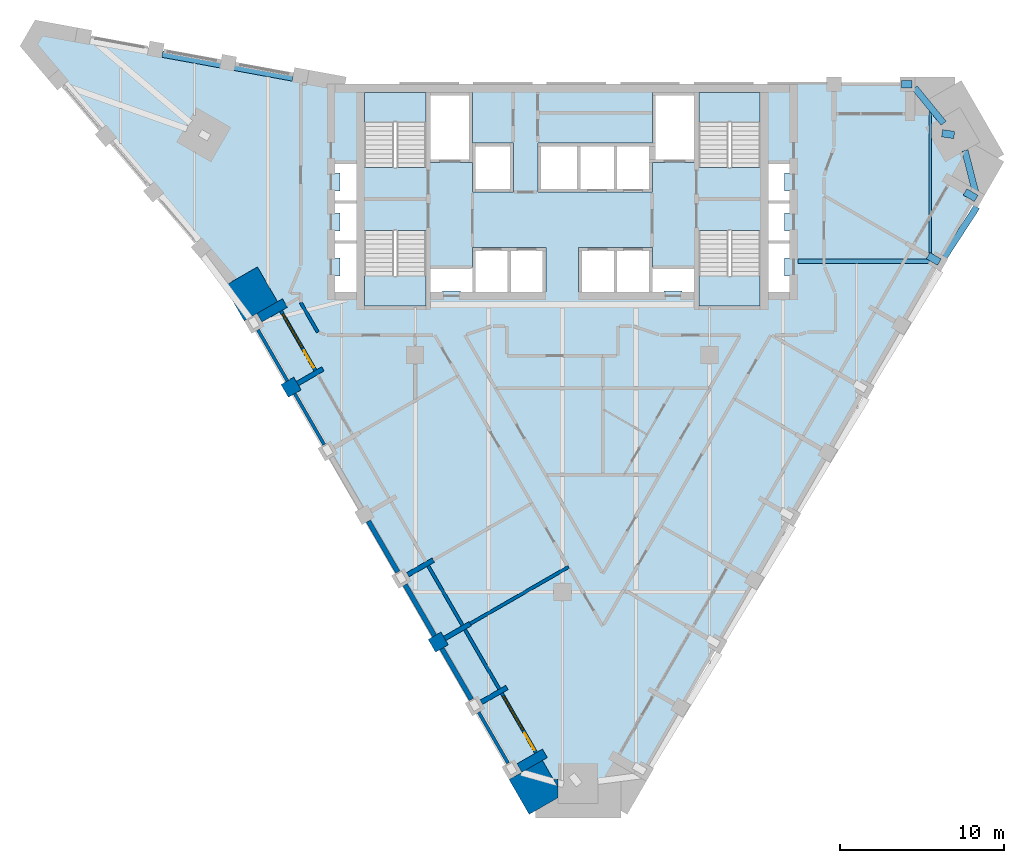
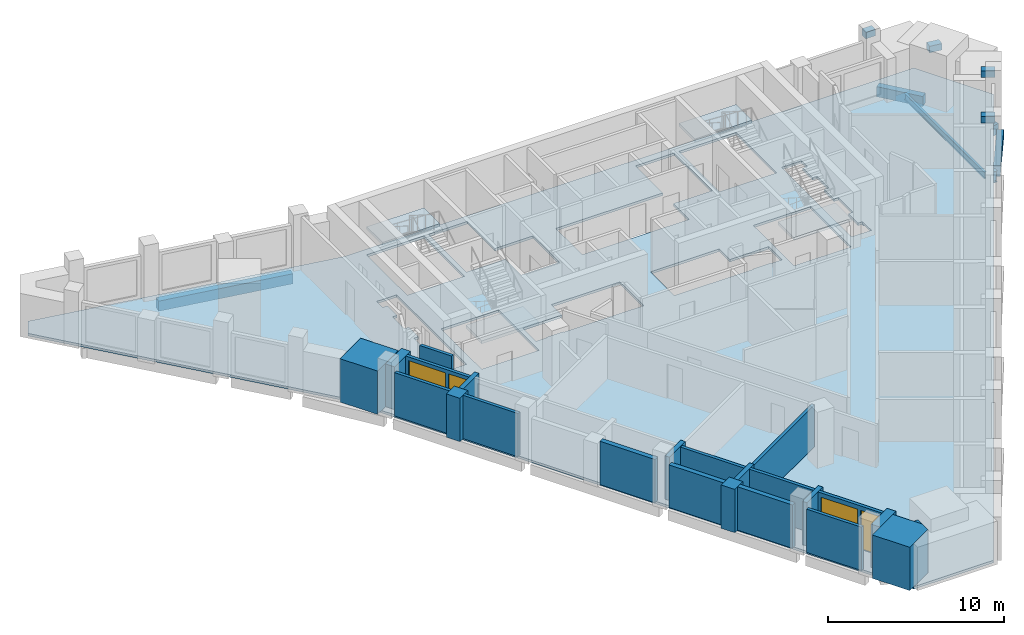
# One storey, part 2 of 9: 23 walls, 10 beams, 5 slabs, 2 doors, 2 windows, 4 openings, 4 elements without a shape of their own.
"""IFC4 building model written with IfcOpenShell, lengths in metres."""

from ifc_helpers import new_model, si_unit, direction, frame, frame_2d, origin, origin_2d, place, context, subcontext, project, spatial, polyline, rectangle, i_section, outline, extrude, material, layer, layer_set, material_profile, profile_set, type_object, element, fill, aggregate, save


model = new_model("IFC4")

# Units and contexts
model_context = context("Model", 3, precision=1e-05, world=origin(), true_north=direction((0.0, 1.0)))
body_context = subcontext(model_context, "Body", "Model", "MODEL_VIEW")
ifc_project = project(units=[si_unit("LENGTHUNIT", "METRE"), si_unit("AREAUNIT", "SQUARE_METRE"), si_unit("VOLUMEUNIT", "CUBIC_METRE"), si_unit("PLANEANGLEUNIT", "RADIAN"), si_unit("MASSUNIT", "GRAM", prefix="KILO")], contexts=[model_context])

# Site, building, storey
site_placement = place(None, origin())
site = spatial("IfcSite", under=ifc_project, at=site_placement, CompositionType="ELEMENT")
building_placement = place(site_placement, origin())
building = spatial("IfcBuilding", under=site, at=building_placement, Name="Calabash Gate Tower", CompositionType="ELEMENT")
storey_placement = place(building_placement, frame((0.0, 0.0, 215.89990234375)))
storey = spatial("IfcBuildingStorey", under=building, at=storey_placement, Name="L51", CompositionType="ELEMENT", Elevation=215.89990234375)

# Beams
ifc_material_1 = material(Name="Concrete C80/95", Category="concrete")
ifc_material_profile_1 = material_profile(ifc_material_1, rectangle(XDim=0.449951171875, YDim=0.449951171875, at=origin_2d()))
ifc_profile_set_1 = profile_set([ifc_material_profile_1], Name="Concrete C80/95")
beam_type_1 = type_object("IfcBeamType", Name="Column offset link RC 450x450 Concrete C80/95", PredefinedType="BEAM", material=ifc_profile_set_1)
beam_1_placement = place(storey_placement, frame((23.968017578125, 15.947021484375, 3.504150390625), z_axis=(-0.990245404769, 0.139334268341, 0.0), x_axis=(-0.139334268341, -0.990245404769, 0.0)))
element("IfcBeam", 1, at=beam_1_placement, inside=storey, type_object=beam_type_1, Name="Column offset link L51 NE", PredefinedType="BEAM", context=body_context, shape_type="SweptSolid", body=[
    extrude(rectangle(XDim=0.449951171875, YDim=0.449951171875, at=origin_2d()), origin(), (0.0, 0.0, 1.0), 0.75341796875),
])
beam_2_placement = place(storey_placement, frame((23.05908203125, 8.1689453125, 3.504150390625), z_axis=(-0.865538736039, 0.500841987473, 0.0), x_axis=(-0.500841987473, -0.865538736039, 0.0)))
element("IfcBeam", 2, at=beam_2_placement, inside=storey, type_object=beam_type_1, Name="Column offset link L51 P12", PredefinedType="BEAM", context=body_context, shape_type="SweptSolid", body=[
    extrude(rectangle(XDim=0.449951171875, YDim=0.449951171875, at=origin_2d()), origin(), (0.0, 0.0, 1.0), 0.792724609375),
])
beam_3_placement = place(storey_placement, frame((25.30908203125, 12.06689453125, 3.504150390625), z_axis=(-0.866072678707, 0.499918108492, 0.0), x_axis=(-0.499918108492, -0.866072678707, 0.0)))
element("IfcBeam", 3, at=beam_3_placement, inside=storey, type_object=beam_type_1, Name="Column offset link L51 P13", PredefinedType="BEAM", context=body_context, shape_type="SweptSolid", body=[
    extrude(rectangle(XDim=0.449951171875, YDim=0.449951171875, at=origin_2d()), origin(), (0.0, 0.0, 1.0), 0.792236328125),
])
beam_4_placement = place(storey_placement, frame((21.3740234375, 19.052978515625, 3.504150390625), z_axis=(-1.0, 0.0, 0.0), x_axis=(0.0, -1.0, 0.0)))
element("IfcBeam", 4, at=beam_4_placement, inside=storey, type_object=beam_type_1, Name="Column offset link L51 P24", PredefinedType="BEAM", context=body_context, shape_type="SweptSolid", body=[
    extrude(rectangle(XDim=0.449951171875, YDim=0.449951171875, at=origin_2d()), origin(), (0.0, 0.0, 1.0), 0.630126953125),
])
ifc_material_2 = material(Name="Concrete C50/60", Category="concrete")
ifc_material_profile_2 = material_profile(ifc_material_2, rectangle(XDim=0.39990234375, YDim=0.699951171875, at=origin_2d()))
ifc_profile_set_2 = profile_set([ifc_material_profile_2], Name="Concrete C50/60")
beam_type_2 = type_object("IfcBeamType", Name="Edge beam RC 400x700 Concrete C50/60", PredefinedType="BEAM", material=ifc_profile_set_2)
beam_5_placement = place(storey_placement, frame((23.360107421875, 8.489990234375, -0.52001953125), z_axis=(0.544748454495, 0.838599499955, 0.0), x_axis=(-0.838599499955, 0.544748454495, 0.0)))
element("IfcBeam", 5, at=beam_5_placement, inside=storey, type_object=beam_type_2, Name="Edge beam L51 10", PredefinedType="BEAM", context=body_context, shape_type="SweptSolid", body=[
    extrude(rectangle(XDim=0.39990234375, YDim=0.699951171875, at=origin_2d()), origin(), (0.0, 0.0, 1.0), 3.64892578125),
])
beam_6_placement = place(storey_placement, frame((25.366943359375, 12.06396484375, -0.52001953125), z_axis=(-0.247878982629, 0.968791004279, 0.0), x_axis=(-0.968791004279, -0.247878982629, 0.0)))
element("IfcBeam", 6, at=beam_6_placement, inside=storey, type_object=beam_type_2, Name="Edge beam L51 11", PredefinedType="BEAM", context=body_context, shape_type="SweptSolid", body=[
    extrude(rectangle(XDim=0.39990234375, YDim=0.699951171875, at=origin_2d()), origin(), (0.0, 0.0, 1.0), 3.029541015625),
])
beam_7_placement = place(storey_placement, frame((23.31689453125, 16.6669921875, -0.52001953125), z_axis=(-0.633512825454, 0.7737321888, 0.0), x_axis=(-0.7737321888, -0.633512825454, 0.0)))
element("IfcBeam", 7, at=beam_7_placement, inside=storey, type_object=beam_type_2, Name="Edge beam L51 12", PredefinedType="BEAM", context=body_context, shape_type="SweptSolid", body=[
    extrude(rectangle(XDim=0.39990234375, YDim=0.699951171875, at=origin_2d()), origin(), (0.0, 0.0, 1.0), 2.80322265625),
])
beam_8_placement = place(storey_placement, frame((-16.491943359375, 19.43701171875, -0.52001953125), z_axis=(-0.983710376503, 0.179760660767, 0.0), x_axis=(-0.179760660767, -0.983710376503, 0.0)))
element("IfcBeam", 8, at=beam_8_placement, inside=storey, type_object=beam_type_2, Name="Edge beam L51 13", PredefinedType="BEAM", context=body_context, shape_type="SweptSolid", body=[
    extrude(rectangle(XDim=0.39990234375, YDim=0.699951171875, at=origin_2d()), origin(), (0.0, 0.0, 1.0), 8.099853515625),
])
ifc_material_3 = material(Name="Steel ASTM A992 Gr50", Category="steel")
ifc_material_profile_3 = material_profile(ifc_material_3, i_section(OverallWidth=0.15234375, OverallDepth=0.44970703125, WebThickness=0.007568359375, FlangeThickness=0.0107421875, FilletRadius=0.01025390625, at=origin_2d()))
ifc_profile_set_3 = profile_set([ifc_material_profile_3], Name="Steel ASTM A992 Gr50")
beam_type_3 = type_object("IfcBeamType", Name="Floor beam W18x35 ASTM A992 Gr50", PredefinedType="BEAM", material=ifc_profile_set_3)
beam_9_placement = place(storey_placement, frame((22.5, 8.321044921875, -0.392822265625), z_axis=(0.0, 1.0, 0.0), x_axis=(-1.0, 0.0, 0.0)))
element("IfcBeam", 9, at=beam_9_placement, inside=storey, type_object=beam_type_3, Name="Floor beam L51 20", PredefinedType="BEAM", context=body_context, shape_type="SweptSolid", body=[
    extrude(i_section(OverallWidth=0.15234375, OverallDepth=0.44970703125, WebThickness=0.007568359375, FlangeThickness=0.0107421875, FilletRadius=0.01025390625, at=origin_2d()), origin(), (0.0, 0.0, 1.0), 9.052001953125),
])
ifc_material_4 = material(Name="Steel ASTM A992 Gr50", Category="steel")
ifc_material_profile_4 = material_profile(ifc_material_4, i_section(OverallWidth=0.2666015625, OverallDepth=0.77978515625, WebThickness=0.0166015625, FlangeThickness=0.030029296875, FilletRadius=0.0166015625, at=origin_2d()))
ifc_profile_set_4 = profile_set([ifc_material_profile_4], Name="Steel ASTM A992 Gr50")
beam_type_4 = type_object("IfcBeamType", Name="Girder W30x148 ASTM A992 Gr50", PredefinedType="BEAM", material=ifc_profile_set_4)
beam_10_placement = place(storey_placement, frame((23.156982421875, 8.218994140625, -0.559814453125), z_axis=(-1.0, 0.0, 0.0), x_axis=(0.0, -1.0, 0.0)))
element("IfcBeam", 10, at=beam_10_placement, inside=storey, type_object=beam_type_4, Name="Girder L51 3", PredefinedType="BEAM", context=body_context, shape_type="SweptSolid", body=[
    extrude(i_section(OverallWidth=0.2666015625, OverallDepth=0.77978515625, WebThickness=0.0166015625, FlangeThickness=0.030029296875, FilletRadius=0.0166015625, at=origin_2d()), origin(), (0.0, 0.0, 1.0), 8.757080078125),
])

# Slab
ifc_material_5 = material(Name="Concrete C40/50", Category="concrete")
ifc_layer_1 = layer(ifc_material_5, 0.169921875)
ifc_layer_set_1 = layer_set([ifc_layer_1], Name="Composite floor slab 170 Concrete C40/50")
slab_type_1 = type_object("IfcSlabType", Name="Composite floor slab 170 Concrete C40/50", PredefinedType="FLOOR", material=ifc_layer_set_1)
slab_1_placement = place(storey_placement, frame((0.0, 0.0, -0.169921875)))
element("IfcSlab", 11, at=slab_1_placement, inside=storey, type_object=slab_type_1, Name="Floor slab L51", PredefinedType="FLOOR", context=body_context, shape_type="SweptSolid", body=[
    extrude(outline(polyline([(3.575439453125, -25.377685546875), (-1.63916015625, -25.377685546875), (-20.291015625, 6.92822265625), (-32.620361328125, 21.43115234375), (-32.015625, 22.478515625), (-13.291015625, 19.052490234375), (24.0126953125, 19.052490234375), (26.619873046875, 14.53662109375), (3.575439453125, -25.377685546875)]), holes=[polyline([(-7.324951171875, 6.3525390625), (-7.324951171875, 6.402587890625), (-6.22509765625, 6.402587890625), (-6.22509765625, 6.3525390625), (-5.5, 6.3525390625), (-3.25, 6.3525390625), (-1.0, 6.3525390625), (-1.0, 9.052490234375), (-3.25, 9.052490234375), (-5.5, 9.052490234375), (-5.5, 7.8525390625), (-8.050048828125, 7.8525390625), (-8.050048828125, 6.3525390625), (-7.324951171875, 6.3525390625)]), polyline([(8.050048828125, 6.3525390625), (8.050048828125, 7.8525390625), (5.5, 7.8525390625), (5.5, 9.052490234375), (3.25, 9.052490234375), (1.0, 9.052490234375), (1.0, 6.3525390625), (3.25, 6.3525390625), (5.5, 6.3525390625), (6.22509765625, 6.3525390625), (6.22509765625, 6.402587890625), (7.324951171875, 6.402587890625), (7.324951171875, 6.3525390625), (8.050048828125, 6.3525390625)]), polyline([(-8.050048828125, 18.552490234375), (-8.050048828125, 14.252685546875), (-5.5, 14.252685546875), (-5.5, 12.45263671875), (-3.0, 12.45263671875), (-3.0, 15.45263671875), (-5.5, 15.45263671875), (-5.5, 18.552490234375), (-8.050048828125, 18.552490234375)]), polyline([(5.5, 14.252685546875), (8.050048828125, 14.252685546875), (8.050048828125, 18.552490234375), (5.5, 18.552490234375), (5.5, 15.45263671875), (3.25, 15.45263671875), (1.0, 15.45263671875), (-1.5, 15.45263671875), (-1.5, 12.45263671875), (1.0, 12.45263671875), (3.25, 12.45263671875), (5.5, 12.45263671875), (5.5, 14.252685546875)]), polyline([(-12.10009765625, 13.95263671875), (-8.35009765625, 13.95263671875), (-8.35009765625, 18.552490234375), (-12.10009765625, 18.552490234375), (-12.10009765625, 13.95263671875)]), polyline([(-8.35009765625, 5.502685546875), (-8.35009765625, 10.1025390625), (-12.10009765625, 10.1025390625), (-12.10009765625, 5.502685546875), (-8.35009765625, 5.502685546875)]), polyline([(12.10009765625, 18.552490234375), (8.35009765625, 18.552490234375), (8.35009765625, 13.95263671875), (12.10009765625, 13.95263671875), (12.10009765625, 18.552490234375)]), polyline([(8.35009765625, 10.1025390625), (8.35009765625, 5.502685546875), (12.10009765625, 5.502685546875), (12.10009765625, 10.1025390625), (8.35009765625, 10.1025390625)]), polyline([(-13.89990234375, 6.3525390625), (-12.60009765625, 6.3525390625), (-12.60009765625, 9.402587890625), (-12.60009765625, 11.842529296875), (-12.60009765625, 14.28271484375), (-13.89990234375, 14.28271484375), (-13.89990234375, 13.612548828125), (-13.60009765625, 13.612548828125), (-13.60009765625, 12.5126953125), (-13.89990234375, 12.5126953125), (-13.89990234375, 11.842529296875), (-13.89990234375, 11.172607421875), (-13.60009765625, 11.172607421875), (-13.60009765625, 10.072509765625), (-13.89990234375, 10.072509765625), (-13.89990234375, 9.402587890625), (-13.89990234375, 8.427490234375), (-13.60009765625, 8.427490234375), (-13.60009765625, 7.32763671875), (-13.89990234375, 7.32763671875), (-13.89990234375, 6.3525390625)]), polyline([(13.60009765625, 7.32763671875), (13.60009765625, 8.427490234375), (13.89990234375, 8.427490234375), (13.89990234375, 9.402587890625), (13.89990234375, 10.072509765625), (13.60009765625, 10.072509765625), (13.60009765625, 11.172607421875), (13.89990234375, 11.172607421875), (13.89990234375, 11.842529296875), (13.89990234375, 12.5126953125), (13.60009765625, 12.5126953125), (13.60009765625, 13.612548828125), (13.89990234375, 13.612548828125), (13.89990234375, 14.28271484375), (12.60009765625, 14.28271484375), (12.60009765625, 11.842529296875), (12.60009765625, 9.402587890625), (12.60009765625, 6.3525390625), (13.89990234375, 6.3525390625), (13.89990234375, 7.32763671875), (13.60009765625, 7.32763671875)])]), origin(), (0.0, 0.0, 1.0), 0.169921875),
])

# Stair, slab
ifc_material_6 = material(Name="Concrete C40/50", Category="concrete")
stair_type = type_object("IfcStairType", Name="Exit stair 22 risers of 177.3 mm", PredefinedType="HALF_TURN_STAIR", material=ifc_material_6)
stair_1_placement = place(storey_placement, origin())
stair_1 = element("IfcStair", 12, at=stair_1_placement, inside=storey, type_object=stair_type, Name="L51 Exit stair ST1", PredefinedType="HALF_TURN_STAIR")
ifc_material_7 = material(Name="Concrete C40/50", Category="concrete")
ifc_layer_2 = layer(ifc_material_7, 0.199951171875)
ifc_layer_set_2 = layer_set([ifc_layer_2], Name="Stair landing SL200")
slab_type_2 = type_object("IfcSlabType", Name="Stair landing SL200", PredefinedType="LANDING", material=ifc_layer_set_2)
slab_2_placement = place(storey_placement, frame((0.0, 0.0, 1.75)))
slab_2 = element("IfcSlab", 13, at=slab_2_placement, type_object=slab_type_2, Name="ST1 landing 1", PredefinedType="LANDING", context=body_context, shape_type="SweptSolid", body=[
    extrude(outline(polyline([(-8.35009765625, 16.74267578125), (-8.35009765625, 18.552490234375), (-12.10009765625, 18.552490234375), (-12.10009765625, 16.74267578125), (-8.35009765625, 16.74267578125)])), origin(), (0.0, 0.0, 1.0), 0.2001953125),
])
aggregate(stair_1, [slab_2])

stair_2_placement = place(storey_placement, origin())
stair_2 = element("IfcStair", 14, at=stair_2_placement, inside=storey, type_object=stair_type, Name="L51 Exit stair ST2", PredefinedType="HALF_TURN_STAIR")
slab_3_placement = place(storey_placement, frame((0.0, 0.0, 1.75)))
slab_3 = element("IfcSlab", 15, at=slab_3_placement, type_object=slab_type_2, Name="ST2 landing 1", PredefinedType="LANDING", context=body_context, shape_type="SweptSolid", body=[
    extrude(outline(polyline([(-12.10009765625, 7.3125), (-12.10009765625, 5.502685546875), (-8.35009765625, 5.502685546875), (-8.35009765625, 7.3125), (-12.10009765625, 7.3125)])), origin(), (0.0, 0.0, 1.0), 0.2001953125),
])
aggregate(stair_2, [slab_3])

stair_3_placement = place(storey_placement, origin())
stair_3 = element("IfcStair", 16, at=stair_3_placement, inside=storey, type_object=stair_type, Name="L51 Exit stair ST3", PredefinedType="HALF_TURN_STAIR")
slab_4_placement = place(storey_placement, frame((0.0, 0.0, 1.75)))
slab_4 = element("IfcSlab", 17, at=slab_4_placement, type_object=slab_type_2, Name="ST3 landing 1", PredefinedType="LANDING", context=body_context, shape_type="SweptSolid", body=[
    extrude(outline(polyline([(12.10009765625, 16.74267578125), (12.10009765625, 18.552490234375), (8.35009765625, 18.552490234375), (8.35009765625, 16.74267578125), (12.10009765625, 16.74267578125)])), origin(), (0.0, 0.0, 1.0), 0.2001953125),
])
aggregate(stair_3, [slab_4])

stair_4_placement = place(storey_placement, origin())
stair_4 = element("IfcStair", 18, at=stair_4_placement, inside=storey, type_object=stair_type, Name="L51 Exit stair ST4", PredefinedType="HALF_TURN_STAIR")
slab_5_placement = place(storey_placement, frame((0.0, 0.0, 1.75)))
slab_5 = element("IfcSlab", 19, at=slab_5_placement, type_object=slab_type_2, Name="ST4 landing 1", PredefinedType="LANDING", context=body_context, shape_type="SweptSolid", body=[
    extrude(outline(polyline([(8.35009765625, 7.3125), (8.35009765625, 5.502685546875), (12.10009765625, 5.502685546875), (12.10009765625, 7.3125), (8.35009765625, 7.3125)])), origin(), (0.0, 0.0, 1.0), 0.2001953125),
])
aggregate(stair_4, [slab_5])

# Walls
ifc_material_8 = material(Name="Terracotta brick masonry, exposed face", Category="masonry")
ifc_layer_3 = layer(ifc_material_8, 2.35009765625)
ifc_layer_set_3 = layer_set([ifc_layer_3], Name="Brick corner mass wall 2350")
wall_type_1 = type_object("IfcWallType", Name="Brick corner mass wall 2350", PredefinedType="SOLIDWALL", material=ifc_layer_set_3)
wall_1_placement = place(storey_placement, origin())
element("IfcWall", 20, at=wall_1_placement, inside=storey, type_object=wall_type_1, Name="Brick corner pier S14 1", PredefinedType="SOLIDWALL", context=body_context, shape_type="SweptSolid", body=[
    extrude(outline(polyline([(-19.45458984375, 4.581787109375), (-18.67529296875, 5.03173828125), (-18.674560546875, 5.0302734375), (-17.419677734375, 5.7548828125), (-18.6455078125, 7.878173828125), (-20.6806640625, 6.703125), (-19.454833984375, 4.579833984375), (-19.453857421875, 4.580322265625), (-19.45458984375, 4.581787109375)])), origin(), (0.0, 0.0, 1.0), 3.0),
])
wall_2_placement = place(storey_placement, origin())
element("IfcWall", 21, at=wall_2_placement, inside=storey, type_object=wall_type_1, Name="Brick corner pier S14 2a", PredefinedType="SOLIDWALL", context=body_context, shape_type="SweptSolid", body=[
    extrude(outline(polyline([(-0.257080078125, -23.9716796875), (-1.219482421875, -22.30419921875), (-3.254638671875, -23.479248046875), (-2.02880859375, -25.6025390625), (-0.257080078125, -24.57958984375), (-0.257080078125, -23.9716796875)])), origin(), (0.0, 0.0, 1.0), 3.0),
])
wall_3_placement = place(storey_placement, origin())
element("IfcWall", 22, at=wall_3_placement, inside=storey, type_object=wall_type_1, Name="Brick corner pier S14 2bb", PredefinedType="SOLIDWALL", context=body_context, shape_type="SweptSolid", body=[
    extrude(outline(polyline([(-0.542236328125, -23.4775390625), (-0.257080078125, -23.9716796875), (-0.257080078125, -23.4775390625), (-0.542236328125, -23.4775390625)])), origin(), (0.0, 0.0, 1.0), 3.0),
])
ifc_material_9 = material(Name="Terracotta brick masonry, exposed face", Category="masonry")
ifc_layer_4 = layer(ifc_material_9, 0.89990234375)
ifc_layer_set_4 = layer_set([ifc_layer_4], Name="Brick end wall 900")
wall_type_2 = type_object("IfcWallType", Name="Brick end wall 900", PredefinedType="SOLIDWALL", material=ifc_layer_set_4)
for number, where, z_axis, x_axis, name in (
    (23, (-16.81494140625, 0.90771484375, 0.0), (0.0, 0.0, 1.0), (0.50001992892, -0.866013897511, 0.0), "Brick pier S14 SW0.1"),
    (24, (-7.979736328125, -15.29541015625, 0.0), (0.0, 0.0, 1.0), (0.866013897511, 0.50001992892, 0.0), "Brick pier S14 SW0.5"),
):
    element("IfcWall", number, at=place(storey_placement, frame(where, z_axis=z_axis, x_axis=x_axis)), inside=storey, type_object=wall_type_2, Name=name, PredefinedType="SOLIDWALL", context=body_context, shape_type="SweptSolid", body=[
        extrude(rectangle(XDim=0.89990234375, YDim=0.89990234375, at=frame_2d((0.449951171875, 0.0))), origin(), (0.0, 0.0, 1.0), 3.0),
    ])
ifc_material_10 = material(Name="Terracotta brick masonry, exposed face", Category="masonry")
ifc_layer_5 = layer(ifc_material_10, 0.300048828125)
ifc_layer_set_5 = layer_set([ifc_layer_5], Name="Brick infill panel wall 300")
wall_type_3 = type_object("IfcWallType", Name="Brick infill panel wall 300", PredefinedType="SOLIDWALL", material=ifc_layer_set_5)
wall_4_placement = place(storey_placement, frame((-11.864990234375, -7.665771484375, 0.0), z_axis=(0.0, 0.0, 1.0), x_axis=(0.500012057535, -0.866018442252, 0.0)))
element("IfcWall", 25, at=wall_4_placement, inside=storey, type_object=wall_type_3, Name="Brick panel S14 SW0.4", PredefinedType="SOLIDWALL", context=body_context, shape_type="SweptSolid", body=[
    extrude(rectangle(XDim=3.60009765625, YDim=0.300048828125, at=frame_2d((1.800048828125, 0.0))), origin(), (0.0, 0.0, 1.0), 3.0),
])
wall_5_placement = place(storey_placement, frame((-9.614990234375, -11.56298828125, 0.0), z_axis=(0.0, 0.0, 1.0), x_axis=(0.500012057535, -0.866018442252, 0.0)))
element("IfcWall", 26, at=wall_5_placement, inside=storey, type_object=wall_type_3, Name="Brick panel S14 SW0.5", PredefinedType="SOLIDWALL", context=body_context, shape_type="SweptSolid", body=[
    extrude(rectangle(XDim=3.60009765625, YDim=0.300048828125, at=frame_2d((1.800048828125, 0.0))), origin(), (0.0, 0.0, 1.0), 2.9501953125),
])
wall_6_placement = place(storey_placement, frame((-5.565185546875, -18.577392578125, 0.0), z_axis=(0.0, 0.0, 1.0), x_axis=(-0.499990559667, 0.866030854095, 0.0)))
element("IfcWall", 27, at=wall_6_placement, inside=storey, type_object=wall_type_3, Name="Brick panel S14 SW0.6", PredefinedType="SOLIDWALL", context=body_context, shape_type="SweptSolid", body=[
    extrude(rectangle(XDim=3.599609375, YDim=0.300048828125, at=frame_2d((1.7998046875, 0.0))), origin(), (0.0, 0.0, 1.0), 3.0),
])
ifc_material_11 = material(Name="Terracotta brick masonry, exposed face", Category="masonry")
ifc_layer_6 = layer(ifc_material_11, 0.300048828125)
ifc_layer_set_6 = layer_set([ifc_layer_6], Name="Brick loggia cheek wall 300")
wall_type_4 = type_object("IfcWallType", Name="Brick loggia cheek wall 300", PredefinedType="SOLIDWALL", material=ifc_layer_set_6)
wall_7_placement = place(storey_placement, frame((-18.5244140625, 4.7705078125, 0.0), z_axis=(0.0, 0.0, 1.0), x_axis=(0.86597086914, 0.50009444488, 0.0)))
element("IfcWall", 28, at=wall_7_placement, inside=storey, type_object=wall_type_4, Name="Loggia cheek S14 SW0.0", PredefinedType="SOLIDWALL", context=body_context, shape_type="SweptSolid", body=[
    extrude(rectangle(XDim=1.799072265625, YDim=0.60009765625, at=frame_2d((0.8994140625, 0.0))), origin(), (0.0, 0.0, 1.0), 2.9501953125),
])
wall_8_placement = place(storey_placement, frame((-16.200439453125, 0.7431640625, 0.0), z_axis=(0.0, 0.0, 1.0), x_axis=(0.866047807691, 0.499961193289, 0.0)))
element("IfcWall", 29, at=wall_8_placement, inside=storey, type_object=wall_type_4, Name="Loggia cheek S14 SW0.1", PredefinedType="SOLIDWALL", context=body_context, shape_type="SweptSolid", body=[
    extrude(rectangle(XDim=1.800048828125, YDim=0.300048828125, at=frame_2d((0.89990234375, 0.0))), origin(), (0.0, 0.0, 1.0), 3.0),
])
wall_9_placement = place(storey_placement, frame((-7.8916015625, -10.04833984375, 0.0), z_axis=(0.0, 0.0, 1.0), x_axis=(-0.866013897511, -0.50001992892, 0.0)))
element("IfcWall", 30, at=wall_9_placement, inside=storey, type_object=wall_type_4, Name="Loggia cheek S14 SW0.4", PredefinedType="SOLIDWALL", context=body_context, shape_type="SweptSolid", body=[
    extrude(rectangle(XDim=1.7998046875, YDim=0.300048828125, at=frame_2d((0.89990234375, 0.0))), origin(), (0.0, 0.0, 1.0), 3.0),
])
wall_10_placement = place(storey_placement, frame((-7.200439453125, -14.845458984375, 0.0), z_axis=(0.0, 0.0, 1.0), x_axis=(0.865989075817, 0.500062916607, 0.0)))
element("IfcWall", 31, at=wall_10_placement, inside=storey, type_object=wall_type_4, Name="Loggia cheek S14 SW0.5", PredefinedType="SOLIDWALL", context=body_context, shape_type="SweptSolid", body=[
    extrude(rectangle(XDim=1.800048828125, YDim=0.300048828125, at=frame_2d((0.89990234375, 0.0))), origin(), (0.0, 0.0, 1.0), 3.0),
])
wall_11_placement = place(storey_placement, frame((-4.9501953125, -18.742431640625, 0.0), z_axis=(0.0, 0.0, 1.0), x_axis=(0.866013897511, 0.50001992892, 0.0)))
element("IfcWall", 32, at=wall_11_placement, inside=storey, type_object=wall_type_4, Name="Loggia cheek S14 SW0.6", PredefinedType="SOLIDWALL", context=body_context, shape_type="SweptSolid", body=[
    extrude(rectangle(XDim=1.7998046875, YDim=0.300048828125, at=frame_2d((0.89990234375, 0.0))), origin(), (0.0, 0.0, 1.0), 3.0),
])
wall_12_placement = place(storey_placement, frame((-1.06640625, -21.869384765625, 0.0), z_axis=(0.0, 0.0, 1.0), x_axis=(-0.865989075817, -0.500062916607, 0.0)))
element("IfcWall", 33, at=wall_12_placement, inside=storey, type_object=wall_type_4, Name="Loggia cheek S14 SW0.7", PredefinedType="SOLIDWALL", context=body_context, shape_type="SweptSolid", body=[
    extrude(rectangle(XDim=1.800048828125, YDim=0.60009765625, at=frame_2d((0.89990234375, 0.0))), origin(), (0.0, 0.0, 1.0), 3.0),
])
ifc_material_12 = material(Name="Gypsum board on steel studs, mineral wool", Category="steel")
ifc_layer_7 = layer(ifc_material_12, 0.199951171875)
ifc_layer_set_7 = layer_set([ifc_layer_7], Name="Partition 200 gypsum board EI 60")
wall_type_5 = type_object("IfcWallType", Name="Partition 200 gypsum board EI 60", PredefinedType="PARTITIONING", material=ifc_layer_set_7)
wall_13_placement = place(storey_placement, frame((-5.64111328125, -13.94580078125, 0.0), z_axis=(0.0, 0.0, 1.0), x_axis=(0.866131772529, 0.499815718657, 0.0)))
element("IfcWall", 34, at=wall_13_placement, inside=storey, type_object=wall_type_5, Name="Partition", PredefinedType="PARTITIONING", context=body_context, shape_type="SweptSolid", body=[
    extrude(rectangle(XDim=6.94921875, YDim=0.199951171875, at=frame_2d((3.474609375, 0.0))), origin(), (0.0, 0.0, 1.0), 2.88427734375),
])
wall_14_placement = place(storey_placement, frame((-16.00048828125, 5.696044921875, 0.0), z_axis=(0.0, 0.0, 1.0), x_axis=(0.500005339912, -0.866022320763, 0.0)))
element("IfcWall", 35, at=wall_14_placement, inside=storey, type_object=wall_type_5, Name="Partition", PredefinedType="PARTITIONING", context=body_context, shape_type="SweptSolid", body=[
    extrude(rectangle(XDim=2.091796875, YDim=0.199951171875, at=frame_2d((1.0458984375, 0.0))), origin(), (0.0, 0.0, 1.0), 2.9501953125),
])
ifc_material_13 = material(Name="Terracotta brick masonry, perforated", Category="masonry")
ifc_layer_8 = layer(ifc_material_13, 0.199951171875)
ifc_layer_set_8 = layer_set([ifc_layer_8], Name="Terracotta jaali screen B")
wall_type_6 = type_object("IfcWallType", Name="Terracotta jaali screen B", PredefinedType="SOLIDWALL", material=ifc_layer_set_8)
for number, where, z_axis, x_axis, name in (
    (36, (-18.614990234375, 4.025390625, 0.0), (0.0, 0.0, 1.0), (0.500012057535, -0.866018442252, 0.0), "SCREEN B S14 SW0.1"),
    (37, (-16.364990234375, 0.12841796875, 0.0), (0.0, 0.0, 1.0), (0.500012057535, -0.866018442252, 0.0), "SCREEN B S14 SW0.2"),
):
    element("IfcWall", number, at=place(storey_placement, frame(where, z_axis=z_axis, x_axis=x_axis)), inside=storey, type_object=wall_type_6, Name=name, PredefinedType="SOLIDWALL", context=body_context, shape_type="SweptSolid", body=[
        extrude(rectangle(XDim=3.60009765625, YDim=0.199951171875, at=frame_2d((1.800048828125, 0.0))), origin(), (0.0, 0.0, 1.0), 3.0),
    ])
wall_15_placement = place(storey_placement, origin())
element("IfcWall", 38, at=wall_15_placement, inside=storey, type_object=wall_type_6, Name="SCREEN B S14 SW0.7", PredefinedType="SOLIDWALL", context=body_context, shape_type="SweptSolid", body=[
    extrude(outline(polyline([(-5.20166015625, -19.4072265625), (-3.40234375, -22.523681640625), (-3.22900390625, -22.423828125), (-5.028564453125, -19.30712890625), (-5.20166015625, -19.4072265625)])), origin(), (0.0, 0.0, 1.0), 3.0),
])

# Wall, openings, door, window
ifc_material_14 = material(Name="Aluminium framed window wall with insulated spandrel", Category="aluminium")
ifc_layer_9 = layer(ifc_material_14, 0.199951171875)
ifc_layer_set_9 = layer_set([ifc_layer_9], Name="Window wall 200")
wall_type_7 = type_object("IfcWallType", Name="Window wall 200", PredefinedType="ELEMENTEDWALL", material=ifc_layer_set_9)
wall_16_placement = place(storey_placement, frame((-17.206298828125, 5.185302734375, 0.0), z_axis=(0.0, 0.0, 1.0), x_axis=(0.500027713859, -0.866009402589, 0.0)))
wall_16 = element("IfcWall", 39, at=wall_16_placement, inside=storey, type_object=wall_type_7, Name="Window wall S14 SW0.1", PredefinedType="ELEMENTEDWALL", context=body_context, shape_type="SweptSolid", body=[
    extrude(rectangle(XDim=4.199951171875, YDim=0.199951171875, at=frame_2d((2.10009765625, 0.0))), origin(), (0.0, 0.0, 1.0), 2.9501953125),
])
opening_1_placement = place(wall_16_placement, frame((0.199951171875, 0.0, 0.449951171875)))
opening_1 = element("IfcOpeningElement", 40, at=opening_1_placement, cuts=wall_16, Name="Opening OW1", PredefinedType="OPENING", context=body_context, shape_type="SweptSolid", body=[
    extrude(rectangle(XDim=2.39990234375, YDim=2.25, at=frame_2d((1.199951171875, 1.125))), frame((0.0, 0.10986328125, 0.0), z_axis=(0.0, -1.0, 0.0), x_axis=(1.0, 0.0, 0.0)), (0.0, 0.0, 1.0), 0.219970703125),
])
opening_2_placement = place(wall_16_placement, frame((2.800048828125, 0.0, 0.0)))
opening_2 = element("IfcOpeningElement", 41, at=opening_2_placement, cuts=wall_16, Name="Opening O6-025", PredefinedType="OPENING", context=body_context, shape_type="SweptSolid", body=[
    extrude(rectangle(XDim=1.199951171875, YDim=2.699951171875, at=frame_2d((0.60009765625, 1.35009765625))), frame((0.0, 0.10986328125, 0.0), z_axis=(0.0, -1.0, 0.0), x_axis=(1.0, 0.0, 0.0)), (0.0, 0.0, 1.0), 0.219970703125),
])
ifc_material_15 = material(Name="Anodised aluminium frame, bronze finish, impact-rated laminated clear glazing", Category="aluminium")
door_type = type_object("IfcDoorType", Name="Loggia door DO1 1200x2700", OperationType="SLIDING_TO_LEFT", PredefinedType="DOOR", material=ifc_material_15)
door_1_placement = place(opening_2_placement, origin())
door_1 = element("IfcDoor", 42, at=door_1_placement, inside=storey, type_object=door_type, Name="Loggia door S14 SW0.1", OperationType="SINGLE_SWING_LEFT", OverallHeight=2.699951171875, OverallWidth=1.199951171875, PredefinedType="DOOR", context=body_context, shape_type="SweptSolid", body=[
    extrude(rectangle(XDim=1.199951171875, YDim=2.699951171875, at=frame_2d((0.60009765625, 1.35009765625))), frame((0.0, 0.02490234375, 0.0), z_axis=(0.0, -1.0, 0.0), x_axis=(1.0, 0.0, 0.0)), (0.0, 0.0, 1.0), 0.050048828125),
])
fill(opening_2, door_1)
ifc_material_16 = material(Name="Anodised aluminium frame, bronze finish, impact-rated laminated clear glazing", Category="aluminium")
window_type = type_object("IfcWindowType", Name="Window OW1 2400x2250", PartitioningType="DOUBLE_PANEL_VERTICAL", PredefinedType="WINDOW", material=ifc_material_16)
window_1_placement = place(opening_1_placement, origin())
window_1 = element("IfcWindow", 43, at=window_1_placement, inside=storey, type_object=window_type, Name="Window OW1 S14 SW0.1", OverallHeight=2.25, OverallWidth=2.39990234375, PartitioningType="SINGLE_PANEL", PredefinedType="WINDOW", context=body_context, shape_type="SweptSolid", body=[
    extrude(rectangle(XDim=2.39990234375, YDim=2.25, at=frame_2d((1.199951171875, 1.125))), frame((0.0, 0.030029296875, 0.0), z_axis=(0.0, -1.0, 0.0), x_axis=(1.0, 0.0, 0.0)), (0.0, 0.0, 1.0), 0.06005859375),
])
fill(opening_1, window_1)

# Walls
wall_17_placement = place(storey_placement, frame((-8.206298828125, -10.403076171875, 0.0), z_axis=(0.0, 0.0, 1.0), x_axis=(0.500002543286, -0.866023935413, 0.0)))
element("IfcWall", 44, at=wall_17_placement, inside=storey, type_object=wall_type_7, Name="Window wall S14 SW0.5", PredefinedType="ELEMENTEDWALL", context=body_context, shape_type="SweptSolid", body=[
    extrude(rectangle(XDim=4.2001953125, YDim=0.199951171875, at=frame_2d((2.10009765625, 0.0))), origin(), (0.0, 0.0, 1.0), 2.9501953125),
])
wall_18_placement = place(storey_placement, frame((-5.956298828125, -14.30029296875, 0.0), z_axis=(0.0, 0.0, 1.0), x_axis=(0.500027713859, -0.866009402589, 0.0)))
element("IfcWall", 45, at=wall_18_placement, inside=storey, type_object=wall_type_7, Name="Window wall S14 SW0.6", PredefinedType="ELEMENTEDWALL", context=body_context, shape_type="SweptSolid", body=[
    extrude(rectangle(XDim=4.199951171875, YDim=0.199951171875, at=frame_2d((2.10009765625, 0.0))), origin(), (0.0, 0.0, 1.0), 3.0),
])

# Wall, openings, door, window
wall_19_placement = place(storey_placement, frame((-3.706298828125, -18.197265625, 0.0), z_axis=(0.0, 0.0, 1.0), x_axis=(0.500002543286, -0.866023935413, 0.0)))
wall_19 = element("IfcWall", 46, at=wall_19_placement, inside=storey, type_object=wall_type_7, Name="Window wall S14 SW0.7", PredefinedType="ELEMENTEDWALL", context=body_context, shape_type="SweptSolid", body=[
    extrude(rectangle(XDim=4.2001953125, YDim=0.199951171875, at=frame_2d((2.10009765625, 0.0))), origin(), (0.0, 0.0, 1.0), 3.0),
])
opening_3_placement = place(wall_19_placement, frame((0.199951171875, 0.0, 0.449951171875)))
opening_3 = element("IfcOpeningElement", 47, at=opening_3_placement, cuts=wall_19, Name="Opening OW1", PredefinedType="OPENING", context=body_context, shape_type="SweptSolid", body=[
    extrude(rectangle(XDim=2.39990234375, YDim=2.25, at=frame_2d((1.199951171875, 1.125))), frame((0.0, 0.10986328125, 0.0), z_axis=(0.0, -1.0, 0.0), x_axis=(1.0, 0.0, 0.0)), (0.0, 0.0, 1.0), 0.219970703125),
])
opening_4_placement = place(wall_19_placement, frame((2.800048828125, 0.0, 0.0)))
opening_4 = element("IfcOpeningElement", 48, at=opening_4_placement, cuts=wall_19, Name="Opening O6-026", PredefinedType="OPENING", context=body_context, shape_type="SweptSolid", body=[
    extrude(rectangle(XDim=1.199951171875, YDim=2.699951171875, at=frame_2d((0.60009765625, 1.35009765625))), frame((0.0, 0.10986328125, 0.0), z_axis=(0.0, -1.0, 0.0), x_axis=(1.0, 0.0, 0.0)), (0.0, 0.0, 1.0), 0.219970703125),
])
door_2_placement = place(opening_4_placement, origin())
door_2 = element("IfcDoor", 49, at=door_2_placement, inside=storey, type_object=door_type, Name="Loggia door S14 SW0.7", OperationType="SINGLE_SWING_LEFT", OverallHeight=2.699951171875, OverallWidth=1.199951171875, PredefinedType="DOOR", context=body_context, shape_type="SweptSolid", body=[
    extrude(rectangle(XDim=1.199951171875, YDim=2.699951171875, at=frame_2d((0.60009765625, 1.35009765625))), frame((0.0, 0.02490234375, 0.0), z_axis=(0.0, -1.0, 0.0), x_axis=(1.0, 0.0, 0.0)), (0.0, 0.0, 1.0), 0.050048828125),
])
fill(opening_4, door_2)
window_2_placement = place(opening_3_placement, origin())
window_2 = element("IfcWindow", 50, at=window_2_placement, inside=storey, type_object=window_type, Name="Window OW1 S14 SW0.7", OverallHeight=2.25, OverallWidth=2.39990234375, PartitioningType="SINGLE_PANEL", PredefinedType="WINDOW", context=body_context, shape_type="SweptSolid", body=[
    extrude(rectangle(XDim=2.39990234375, YDim=2.25, at=frame_2d((1.199951171875, 1.125))), frame((0.0, 0.030029296875, 0.0), z_axis=(0.0, -1.0, 0.0), x_axis=(1.0, 0.0, 0.0)), (0.0, 0.0, 1.0), 0.06005859375),
])
fill(opening_3, window_2)

save(model, "model.ifc")
